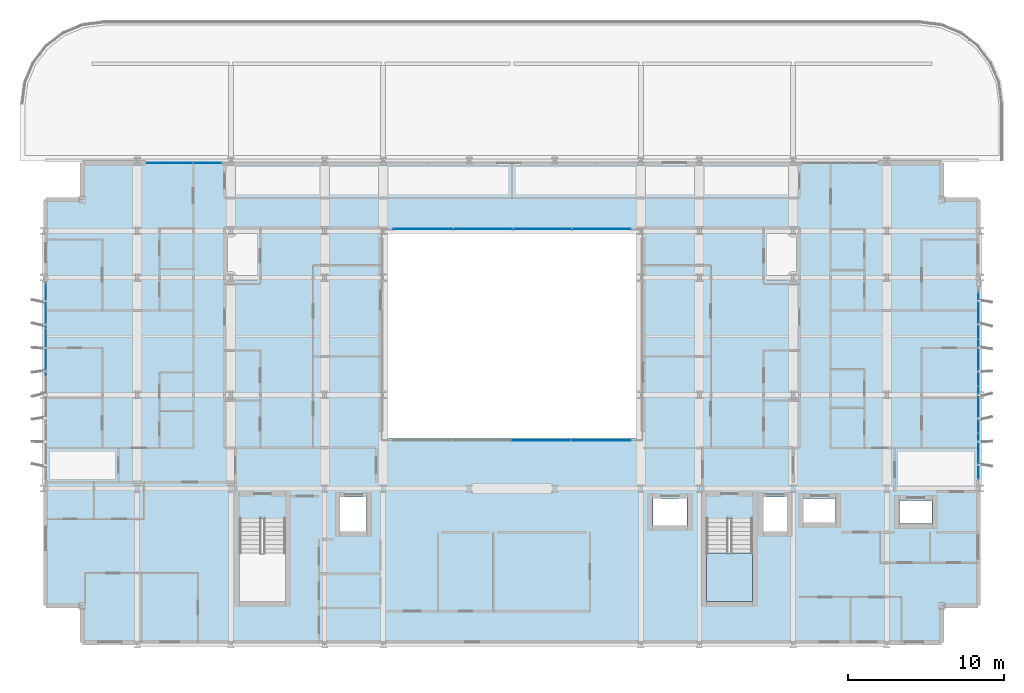
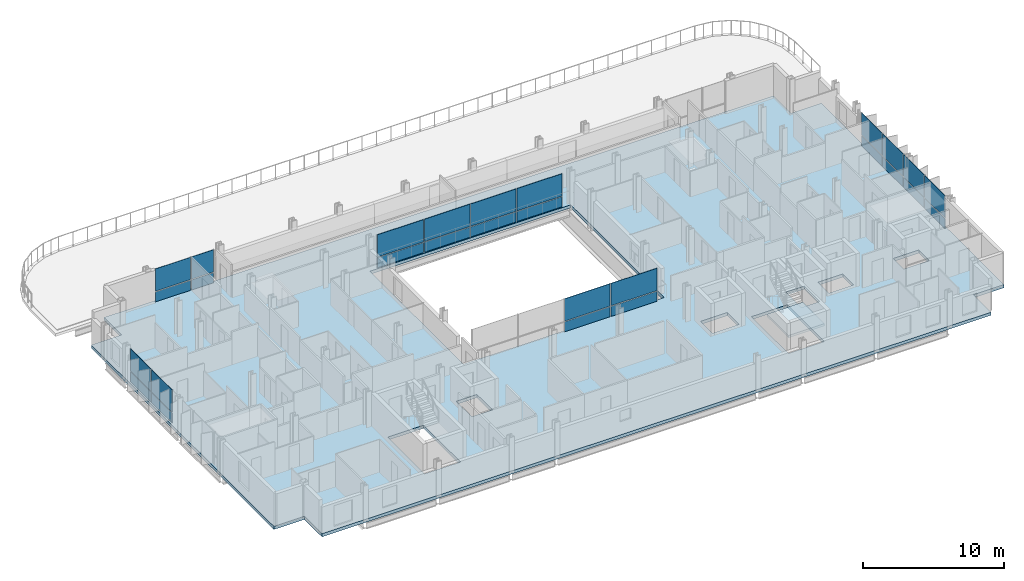
# One storey, part 23 of 38: 28 plates, 2 slabs, 6 elements without a shape of their own.
"""IFC4 building model written with IfcOpenShell, lengths in metres."""

from ifc_helpers import new_model, si_unit, direction, frame, origin, origin_2d, place, context, subcontext, project, spatial, polyline, rectangle, outline, extrude, material, layer, layer_set, type_object, element, aggregate, save


model = new_model("IFC4")

# Units and contexts
model_context = context("Model", 3, precision=1e-05, world=origin(), true_north=direction((0.0, 1.0)))
body_context = subcontext(model_context, "Body", "Model", "MODEL_VIEW")
ifc_project = project(units=[si_unit("LENGTHUNIT", "METRE"), si_unit("AREAUNIT", "SQUARE_METRE"), si_unit("VOLUMEUNIT", "CUBIC_METRE"), si_unit("PLANEANGLEUNIT", "RADIAN"), si_unit("MASSUNIT", "GRAM", prefix="KILO")], contexts=[model_context])

# Site, building, storey
site_placement = place(None, origin())
site = spatial("IfcSite", under=ifc_project, at=site_placement, CompositionType="ELEMENT")
building_placement = place(site_placement, origin())
building = spatial("IfcBuilding", under=site, at=building_placement, Name="Brevholm Reach", CompositionType="ELEMENT")
storey_placement = place(building_placement, frame((0.0, 0.0, 28.0)))
storey = spatial("IfcBuildingStorey", under=building, at=storey_placement, Name="L06", CompositionType="ELEMENT", Elevation=28.0)

# Curtain wall, plates
ifc_material_1 = material(Name="Dark Anodised Aluminium 6063-T6 and Solar-Control Glass", Category="aluminium")
ifc_layer_1 = layer(ifc_material_1, 0.14990234375)
ifc_layer_set_1 = layer_set([ifc_layer_1], Name="Dark Anodised Aluminium 6063-T6 and Solar-Control Glass")
curtain_wall_type_1 = type_object("IfcCurtainWallType", Name="CW-01", PredefinedType="NOTDEFINED", material=ifc_layer_set_1)
curtain_wall_1_placement = place(storey_placement, origin())
curtain_wall_1 = element("IfcCurtainWall", 1, at=curtain_wall_1_placement, inside=storey, type_object=curtain_wall_type_1, Name="L06 Curtain Wall CW-01", PredefinedType="NOTDEFINED")
ifc_material_2 = material(Name="Dark Solar-Control Double-Glazed IGU Glass", Category="glass")
ifc_layer_2 = layer(ifc_material_2, 0.028076171875)
ifc_layer_set_2 = layer_set([ifc_layer_2], Name="Dark Solar-Control Double-Glazed IGU Glass")
plate_type_1 = type_object("IfcPlateType", Name="CWP-GLZ-28", PredefinedType="CURTAIN_PANEL", material=ifc_layer_set_2)
plate_1_placement = place(storey_placement, frame((0.14990234375, 21.703857421875, 0.0), z_axis=(0.0, 0.0, 1.0), x_axis=(0.0, -1.0, 0.0)))
plate_1 = element("IfcPlate", 2, at=plate_1_placement, type_object=plate_type_1, Name="CP-01 Glazing Panel 1.1", PredefinedType="CURTAIN_PANEL", context=body_context, shape_type="SweptSolid", body=[
    extrude(rectangle(XDim=2.902587890625, YDim=0.028076171875, at=origin_2d()), origin(), (0.0, 0.0, 1.0), 0.867431640625),
])
plate_2_placement = place(storey_placement, frame((0.14990234375, 21.703857421875, 0.9326171875), z_axis=(0.0, 0.0, 1.0), x_axis=(0.0, -1.0, 0.0)))
plate_2 = element("IfcPlate", 3, at=plate_2_placement, type_object=plate_type_1, Name="CP-01 Glazing Panel 1.2", PredefinedType="CURTAIN_PANEL", context=body_context, shape_type="SweptSolid", body=[
    extrude(rectangle(XDim=2.902587890625, YDim=0.028076171875, at=origin_2d()), origin(), (0.0, 0.0, 1.0), 1.9375),
])
plate_3_placement = place(storey_placement, frame((0.14990234375, 18.719970703125, 0.0), z_axis=(0.0, 0.0, 1.0), x_axis=(0.0, -1.0, 0.0)))
plate_3 = element("IfcPlate", 4, at=plate_3_placement, type_object=plate_type_1, Name="CP-01 Glazing Panel 2.1", PredefinedType="CURTAIN_PANEL", context=body_context, shape_type="SweptSolid", body=[
    extrude(rectangle(XDim=2.93505859375, YDim=0.028076171875, at=origin_2d()), origin(), (0.0, 0.0, 1.0), 0.867431640625),
])
plate_4_placement = place(storey_placement, frame((0.14990234375, 18.719970703125, 0.9326171875), z_axis=(0.0, 0.0, 1.0), x_axis=(0.0, -1.0, 0.0)))
plate_4 = element("IfcPlate", 5, at=plate_4_placement, type_object=plate_type_1, Name="CP-01 Glazing Panel 2.2", PredefinedType="CURTAIN_PANEL", context=body_context, shape_type="SweptSolid", body=[
    extrude(rectangle(XDim=2.93505859375, YDim=0.028076171875, at=origin_2d()), origin(), (0.0, 0.0, 1.0), 1.9375),
])
aggregate(curtain_wall_1, [plate_1, plate_2, plate_3, plate_4])

curtain_wall_2_placement = place(storey_placement, origin())
curtain_wall_2 = element("IfcCurtainWall", 6, at=curtain_wall_2_placement, inside=storey, type_object=curtain_wall_type_1, Name="L06 Curtain Wall CW-01", PredefinedType="NOTDEFINED")
plate_5_placement = place(storey_placement, frame((59.85009765625, 12.066162109375, 0.0), z_axis=(0.0, 0.0, 1.0), x_axis=(0.0, 1.0, 0.0)))
plate_5 = element("IfcPlate", 7, at=plate_5_placement, type_object=plate_type_1, Name="CP-01 Glazing Panel 1.1", PredefinedType="CURTAIN_PANEL", context=body_context, shape_type="SweptSolid", body=[
    extrude(rectangle(XDim=2.902587890625, YDim=0.028076171875, at=origin_2d()), origin(), (0.0, 0.0, 1.0), 0.867431640625),
])
plate_6_placement = place(storey_placement, frame((59.85009765625, 12.066162109375, 0.9326171875), z_axis=(0.0, 0.0, 1.0), x_axis=(0.0, 1.0, 0.0)))
plate_6 = element("IfcPlate", 8, at=plate_6_placement, type_object=plate_type_1, Name="CP-01 Glazing Panel 1.2", PredefinedType="CURTAIN_PANEL", context=body_context, shape_type="SweptSolid", body=[
    extrude(rectangle(XDim=2.902587890625, YDim=0.028076171875, at=origin_2d()), origin(), (0.0, 0.0, 1.0), 1.9375),
])
plate_7_placement = place(storey_placement, frame((59.85009765625, 15.050048828125, 0.0), z_axis=(0.0, 0.0, 1.0), x_axis=(0.0, 1.0, 0.0)))
plate_7 = element("IfcPlate", 9, at=plate_7_placement, type_object=plate_type_1, Name="CP-01 Glazing Panel 2.1", PredefinedType="CURTAIN_PANEL", context=body_context, shape_type="SweptSolid", body=[
    extrude(rectangle(XDim=2.93505859375, YDim=0.028076171875, at=origin_2d()), origin(), (0.0, 0.0, 1.0), 0.867431640625),
])
plate_8_placement = place(storey_placement, frame((59.85009765625, 15.050048828125, 0.9326171875), z_axis=(0.0, 0.0, 1.0), x_axis=(0.0, 1.0, 0.0)))
plate_8 = element("IfcPlate", 10, at=plate_8_placement, type_object=plate_type_1, Name="CP-01 Glazing Panel 2.2", PredefinedType="CURTAIN_PANEL", context=body_context, shape_type="SweptSolid", body=[
    extrude(rectangle(XDim=2.93505859375, YDim=0.028076171875, at=origin_2d()), origin(), (0.0, 0.0, 1.0), 1.9375),
])
plate_9_placement = place(storey_placement, frame((59.85009765625, 18.050048828125, 0.0), z_axis=(0.0, 0.0, 1.0), x_axis=(0.0, 1.0, 0.0)))
plate_9 = element("IfcPlate", 11, at=plate_9_placement, type_object=plate_type_1, Name="CP-01 Glazing Panel 3.1", PredefinedType="CURTAIN_PANEL", context=body_context, shape_type="SweptSolid", body=[
    extrude(rectangle(XDim=2.93505859375, YDim=0.028076171875, at=origin_2d()), origin(), (0.0, 0.0, 1.0), 0.867431640625),
])
plate_10_placement = place(storey_placement, frame((59.85009765625, 18.050048828125, 0.9326171875), z_axis=(0.0, 0.0, 1.0), x_axis=(0.0, 1.0, 0.0)))
plate_10 = element("IfcPlate", 12, at=plate_10_placement, type_object=plate_type_1, Name="CP-01 Glazing Panel 3.2", PredefinedType="CURTAIN_PANEL", context=body_context, shape_type="SweptSolid", body=[
    extrude(rectangle(XDim=2.93505859375, YDim=0.028076171875, at=origin_2d()), origin(), (0.0, 0.0, 1.0), 1.9375),
])
plate_11_placement = place(storey_placement, frame((59.85009765625, 21.050048828125, 0.0), z_axis=(0.0, 0.0, 1.0), x_axis=(0.0, 1.0, 0.0)))
plate_11 = element("IfcPlate", 13, at=plate_11_placement, type_object=plate_type_1, Name="CP-01 Glazing Panel 4.1", PredefinedType="CURTAIN_PANEL", context=body_context, shape_type="SweptSolid", body=[
    extrude(rectangle(XDim=2.93505859375, YDim=0.028076171875, at=origin_2d()), origin(), (0.0, 0.0, 1.0), 0.867431640625),
])
plate_12_placement = place(storey_placement, frame((59.85009765625, 21.050048828125, 0.9326171875), z_axis=(0.0, 0.0, 1.0), x_axis=(0.0, 1.0, 0.0)))
plate_12 = element("IfcPlate", 14, at=plate_12_placement, type_object=plate_type_1, Name="CP-01 Glazing Panel 4.2", PredefinedType="CURTAIN_PANEL", context=body_context, shape_type="SweptSolid", body=[
    extrude(rectangle(XDim=2.93505859375, YDim=0.028076171875, at=origin_2d()), origin(), (0.0, 0.0, 1.0), 1.9375),
])
aggregate(curtain_wall_2, [plate_5, plate_6, plate_7, plate_8, plate_9, plate_10, plate_11, plate_12])

curtain_wall_3_placement = place(storey_placement, origin())
curtain_wall_3 = element("IfcCurtainWall", 15, at=curtain_wall_3_placement, inside=storey, type_object=curtain_wall_type_1, Name="L06 Curtain Wall CW-01", PredefinedType="NOTDEFINED")
plate_13_placement = place(storey_placement, frame((8.066162109375, 30.85009765625, 0.0), z_axis=(0.0, 0.0, 1.0), x_axis=(1.0, 0.0, 0.0)))
plate_13 = element("IfcPlate", 16, at=plate_13_placement, type_object=plate_type_1, Name="CP-01 Glazing Panel 1.1", PredefinedType="CURTAIN_PANEL", context=body_context, shape_type="SweptSolid", body=[
    extrude(rectangle(XDim=2.902587890625, YDim=0.028076171875, at=origin_2d()), origin(), (0.0, 0.0, 1.0), 0.867431640625),
])
plate_14_placement = place(storey_placement, frame((8.066162109375, 30.85009765625, 0.9326171875), z_axis=(0.0, 0.0, 1.0), x_axis=(1.0, 0.0, 0.0)))
plate_14 = element("IfcPlate", 17, at=plate_14_placement, type_object=plate_type_1, Name="CP-01 Glazing Panel 1.2", PredefinedType="CURTAIN_PANEL", context=body_context, shape_type="SweptSolid", body=[
    extrude(rectangle(XDim=2.902587890625, YDim=0.028076171875, at=origin_2d()), origin(), (0.0, 0.0, 1.0), 1.9375),
])
plate_15_placement = place(storey_placement, frame((10.483642578125, 30.85009765625, 0.0), z_axis=(0.0, 0.0, 1.0), x_axis=(1.0, 0.0, 0.0)))
plate_15 = element("IfcPlate", 18, at=plate_15_placement, type_object=plate_type_1, Name="CP-01 Glazing Panel 2.1", PredefinedType="CURTAIN_PANEL", context=body_context, shape_type="SweptSolid", body=[
    extrude(rectangle(XDim=1.802490234375, YDim=0.028076171875, at=origin_2d()), origin(), (0.0, 0.0, 1.0), 0.867431640625),
])
plate_16_placement = place(storey_placement, frame((10.483642578125, 30.85009765625, 0.9326171875), z_axis=(0.0, 0.0, 1.0), x_axis=(1.0, 0.0, 0.0)))
plate_16 = element("IfcPlate", 19, at=plate_16_placement, type_object=plate_type_1, Name="CP-01 Glazing Panel 2.2", PredefinedType="CURTAIN_PANEL", context=body_context, shape_type="SweptSolid", body=[
    extrude(rectangle(XDim=1.802490234375, YDim=0.028076171875, at=origin_2d()), origin(), (0.0, 0.0, 1.0), 1.9375),
])
aggregate(curtain_wall_3, [plate_13, plate_14, plate_15, plate_16])

ifc_material_3 = material(Name="Dark Anodised Aluminium 6063-T6 and Solar-Control Glass", Category="aluminium")
ifc_layer_3 = layer(ifc_material_3, 0.139892578125)
ifc_layer_set_3 = layer_set([ifc_layer_3], Name="Dark Anodised Aluminium 6063-T6 and Solar-Control Glass")
curtain_wall_type_2 = type_object("IfcCurtainWallType", Name="CW-02", PredefinedType="NOTDEFINED", material=ifc_layer_set_3)
curtain_wall_4_placement = place(storey_placement, origin())
curtain_wall_4 = element("IfcCurtainWall", 20, at=curtain_wall_4_placement, inside=storey, type_object=curtain_wall_type_2, Name="L06 Curtain Wall CW-02", PredefinedType="NOTDEFINED")
ifc_material_4 = material(Name="Low-Iron Laminated Acoustic Glass", Category="glass")
ifc_layer_4 = layer(ifc_material_4, 0.035888671875)
ifc_layer_set_4 = layer_set([ifc_layer_4], Name="Low-Iron Laminated Acoustic Glass")
plate_type_2 = type_object("IfcPlateType", Name="CWP-GLZ-36", PredefinedType="CURTAIN_PANEL", material=ifc_layer_set_4)
plate_17_placement = place(storey_placement, frame((31.85009765625, 13.080078125, 0.0), z_axis=(0.0, 0.0, 1.0), x_axis=(1.0, 0.0, 0.0)))
plate_17 = element("IfcPlate", 21, at=plate_17_placement, type_object=plate_type_2, Name="CP-02 Glazing Panel 3.1", PredefinedType="CURTAIN_PANEL", context=body_context, shape_type="SweptSolid", body=[
    extrude(rectangle(XDim=3.739990234375, YDim=0.035888671875, at=origin_2d()), origin(), (0.0, 0.0, 1.0), 0.8701171875),
])
plate_18_placement = place(storey_placement, frame((31.85009765625, 13.080078125, 0.929931640625), z_axis=(0.0, 0.0, 1.0), x_axis=(1.0, 0.0, 0.0)))
plate_18 = element("IfcPlate", 22, at=plate_18_placement, type_object=plate_type_2, Name="CP-02 Glazing Panel 3.2", PredefinedType="CURTAIN_PANEL", context=body_context, shape_type="SweptSolid", body=[
    extrude(rectangle(XDim=3.739990234375, YDim=0.035888671875, at=origin_2d()), origin(), (0.0, 0.0, 1.0), 1.93994140625),
])
plate_19_placement = place(storey_placement, frame((35.68505859375, 13.080078125, 0.0), z_axis=(0.0, 0.0, 1.0), x_axis=(1.0, 0.0, 0.0)))
plate_19 = element("IfcPlate", 23, at=plate_19_placement, type_object=plate_type_2, Name="CP-02 Glazing Panel 4.1", PredefinedType="CURTAIN_PANEL", context=body_context, shape_type="SweptSolid", body=[
    extrude(rectangle(XDim=3.81005859375, YDim=0.035888671875, at=origin_2d()), origin(), (0.0, 0.0, 1.0), 0.8701171875),
])
plate_20_placement = place(storey_placement, frame((35.68505859375, 13.080078125, 0.929931640625), z_axis=(0.0, 0.0, 1.0), x_axis=(1.0, 0.0, 0.0)))
plate_20 = element("IfcPlate", 24, at=plate_20_placement, type_object=plate_type_2, Name="CP-02 Glazing Panel 4.2", PredefinedType="CURTAIN_PANEL", context=body_context, shape_type="SweptSolid", body=[
    extrude(rectangle(XDim=3.81005859375, YDim=0.035888671875, at=origin_2d()), origin(), (0.0, 0.0, 1.0), 1.93994140625),
])
aggregate(curtain_wall_4, [plate_17, plate_18, plate_19, plate_20])

curtain_wall_5_placement = place(storey_placement, origin())
curtain_wall_5 = element("IfcCurtainWall", 25, at=curtain_wall_5_placement, inside=storey, type_object=curtain_wall_type_2, Name="L06 Curtain Wall CW-02", PredefinedType="NOTDEFINED")
plate_21_placement = place(storey_placement, frame((35.735107421875, 26.6201171875, 0.0), z_axis=(0.0, 0.0, 1.0), x_axis=(-1.0, 0.0, 0.0)))
plate_21 = element("IfcPlate", 26, at=plate_21_placement, type_object=plate_type_2, Name="CP-02 Glazing Panel 1.1", PredefinedType="CURTAIN_PANEL", context=body_context, shape_type="SweptSolid", body=[
    extrude(rectangle(XDim=3.7099609375, YDim=0.035888671875, at=origin_2d()), origin(), (0.0, 0.0, 1.0), 0.8701171875),
])
plate_22_placement = place(storey_placement, frame((35.735107421875, 26.6201171875, 0.929931640625), z_axis=(0.0, 0.0, 1.0), x_axis=(-1.0, 0.0, 0.0)))
plate_22 = element("IfcPlate", 27, at=plate_22_placement, type_object=plate_type_2, Name="CP-02 Glazing Panel 1.2", PredefinedType="CURTAIN_PANEL", context=body_context, shape_type="SweptSolid", body=[
    extrude(rectangle(XDim=3.7099609375, YDim=0.035888671875, at=origin_2d()), origin(), (0.0, 0.0, 1.0), 1.93994140625),
])
plate_23_placement = place(storey_placement, frame((31.949951171875, 26.6201171875, 0.0), z_axis=(0.0, 0.0, 1.0), x_axis=(-1.0, 0.0, 0.0)))
plate_23 = element("IfcPlate", 28, at=plate_23_placement, type_object=plate_type_2, Name="CP-02 Glazing Panel 2.1", PredefinedType="CURTAIN_PANEL", context=body_context, shape_type="SweptSolid", body=[
    extrude(rectangle(XDim=3.739990234375, YDim=0.035888671875, at=origin_2d()), origin(), (0.0, 0.0, 1.0), 0.8701171875),
])
plate_24_placement = place(storey_placement, frame((31.949951171875, 26.6201171875, 0.929931640625), z_axis=(0.0, 0.0, 1.0), x_axis=(-1.0, 0.0, 0.0)))
plate_24 = element("IfcPlate", 29, at=plate_24_placement, type_object=plate_type_2, Name="CP-02 Glazing Panel 2.2", PredefinedType="CURTAIN_PANEL", context=body_context, shape_type="SweptSolid", body=[
    extrude(rectangle(XDim=3.739990234375, YDim=0.035888671875, at=origin_2d()), origin(), (0.0, 0.0, 1.0), 1.93994140625),
])
plate_25_placement = place(storey_placement, frame((28.14990234375, 26.6201171875, 0.0), z_axis=(0.0, 0.0, 1.0), x_axis=(-1.0, 0.0, 0.0)))
plate_25 = element("IfcPlate", 30, at=plate_25_placement, type_object=plate_type_2, Name="CP-02 Glazing Panel 3.1", PredefinedType="CURTAIN_PANEL", context=body_context, shape_type="SweptSolid", body=[
    extrude(rectangle(XDim=3.739990234375, YDim=0.035888671875, at=origin_2d()), origin(), (0.0, 0.0, 1.0), 0.8701171875),
])
plate_26_placement = place(storey_placement, frame((28.14990234375, 26.6201171875, 0.929931640625), z_axis=(0.0, 0.0, 1.0), x_axis=(-1.0, 0.0, 0.0)))
plate_26 = element("IfcPlate", 31, at=plate_26_placement, type_object=plate_type_2, Name="CP-02 Glazing Panel 3.2", PredefinedType="CURTAIN_PANEL", context=body_context, shape_type="SweptSolid", body=[
    extrude(rectangle(XDim=3.739990234375, YDim=0.035888671875, at=origin_2d()), origin(), (0.0, 0.0, 1.0), 1.93994140625),
])
plate_27_placement = place(storey_placement, frame((24.31494140625, 26.6201171875, 0.0), z_axis=(0.0, 0.0, 1.0), x_axis=(-1.0, 0.0, 0.0)))
plate_27 = element("IfcPlate", 32, at=plate_27_placement, type_object=plate_type_2, Name="CP-02 Glazing Panel 4.1", PredefinedType="CURTAIN_PANEL", context=body_context, shape_type="SweptSolid", body=[
    extrude(rectangle(XDim=3.81005859375, YDim=0.035888671875, at=origin_2d()), origin(), (0.0, 0.0, 1.0), 0.8701171875),
])
plate_28_placement = place(storey_placement, frame((24.31494140625, 26.6201171875, 0.929931640625), z_axis=(0.0, 0.0, 1.0), x_axis=(-1.0, 0.0, 0.0)))
plate_28 = element("IfcPlate", 33, at=plate_28_placement, type_object=plate_type_2, Name="CP-02 Glazing Panel 4.2", PredefinedType="CURTAIN_PANEL", context=body_context, shape_type="SweptSolid", body=[
    extrude(rectangle(XDim=3.81005859375, YDim=0.035888671875, at=origin_2d()), origin(), (0.0, 0.0, 1.0), 1.93994140625),
])
aggregate(curtain_wall_5, [plate_21, plate_22, plate_23, plate_24, plate_25, plate_26, plate_27, plate_28])

# Slab
ifc_material_5 = material(Name="Concrete C50/60", Category="concrete")
ifc_layer_5 = layer(ifc_material_5, 0.27001953125)
ifc_layer_set_5 = layer_set([ifc_layer_5], Name="Concrete C50/60")
slab_type_1 = type_object("IfcSlabType", Name="SLB-FL-270", PredefinedType="FLOOR", material=ifc_layer_set_5)
slab_1_placement = place(storey_placement, frame((0.0, 0.0, -0.27001953125)))
element("IfcSlab", 34, at=slab_1_placement, inside=storey, type_object=slab_type_1, Name="L06 Suspended Floor Slab (main)", PredefinedType="FLOOR", context=body_context, shape_type="SweptSolid", body=[
    extrude(outline(polyline([(2.5, 0.0), (57.5, 0.0), (57.5, 2.5), (60.0, 2.5), (60.0, 28.5), (57.5, 28.5), (57.5, 31.0), (2.5, 31.0), (2.5, 28.5), (0.0, 28.5), (0.0, 2.5), (2.5, 2.5), (2.5, 0.0)]), holes=[polyline([(21.75, 13.199951171875), (38.25, 13.199951171875), (38.25, 26.5), (21.75, 26.5), (21.75, 13.199951171875)]), polyline([(12.550048828125, 2.780029296875), (15.5, 2.780029296875), (15.5, 8.044921875), (12.550048828125, 8.044921875), (12.550048828125, 2.780029296875)]), polyline([(42.449951171875, 2.780029296875), (45.39990234375, 2.780029296875), (45.39990234375, 8.044921875), (42.449951171875, 8.044921875), (42.449951171875, 2.780029296875)]), polyline([(19.0, 7.25), (20.699951171875, 7.25), (20.699951171875, 9.449951171875), (19.0, 9.449951171875), (19.0, 7.25)]), polyline([(46.10009765625, 7.25), (47.60009765625, 7.25), (47.60009765625, 9.449951171875), (46.10009765625, 9.449951171875), (46.10009765625, 7.25)]), polyline([(48.675048828125, 7.824951171875), (50.72509765625, 7.824951171875), (50.72509765625, 9.375), (48.675048828125, 9.375), (48.675048828125, 7.824951171875)]), polyline([(54.800048828125, 7.75), (56.89990234375, 7.75), (56.89990234375, 9.25), (54.800048828125, 9.25), (54.800048828125, 7.75)]), polyline([(39.02001953125, 7.64990234375), (41.219970703125, 7.64990234375), (41.219970703125, 9.35009765625), (39.02001953125, 9.35009765625), (39.02001953125, 7.64990234375)])]), origin(), (0.0, 0.0, 1.0), 0.27001953125),
])

# Stair, slab
ifc_material_6 = material(Name="Precast Concrete C40/50", Category="concrete")
stair_type = type_object("IfcStairType", Name="STR-ESC-1400", PredefinedType="DOUBLE_RETURN_STAIR", material=ifc_material_6)
stair_placement = place(storey_placement, origin())
stair = element("IfcStair", 35, at=stair_placement, inside=storey, type_object=stair_type, Name="L06 ST-2", PredefinedType="DOUBLE_RETURN_STAIR")
ifc_material_7 = material(Name="Concrete C40/50", Category="concrete")
ifc_layer_6 = layer(ifc_material_7, 0.199951171875)
ifc_layer_set_6 = layer_set([ifc_layer_6], Name="Concrete C40/50")
slab_type_2 = type_object("IfcSlabType", Name="SLB-LND-200", PredefinedType="LANDING", material=ifc_layer_set_6)
slab_2_placement = place(storey_placement, frame((0.0, 0.0, 1.35009765625)))
slab_2 = element("IfcSlab", 36, at=slab_2_placement, type_object=slab_type_2, Name="ST-2 landing 1", PredefinedType="LANDING", context=body_context, shape_type="SweptSolid", body=[
    extrude(outline(polyline([(42.449951171875, 5.860107421875), (42.449951171875, 2.780029296875), (45.39990234375, 2.780029296875), (45.39990234375, 5.860107421875), (42.449951171875, 5.860107421875)])), origin(), (0.0, 0.0, 1.0), 0.199951171875),
])
aggregate(stair, [slab_2])

save(model, "model.ifc")
